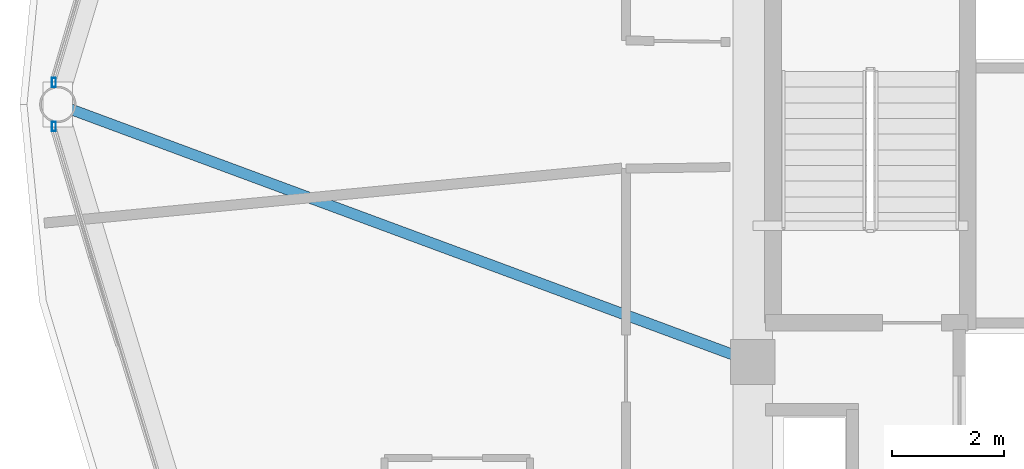
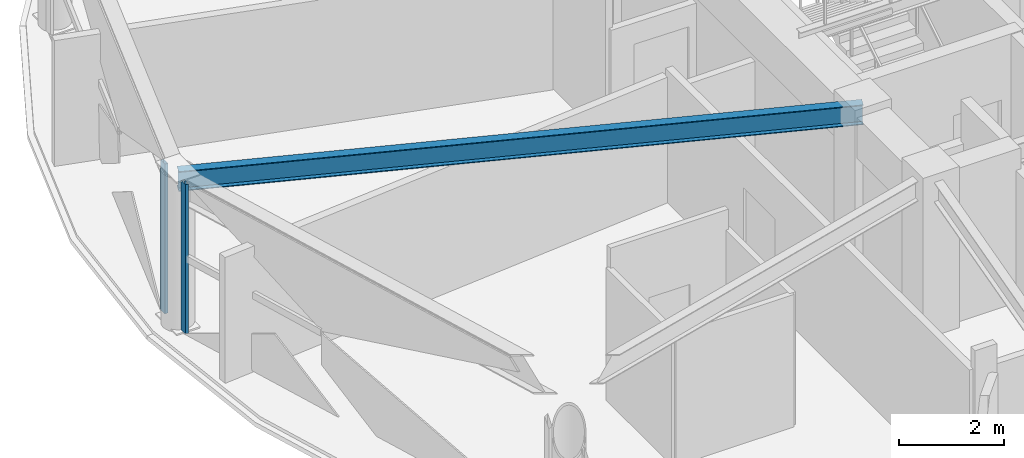
# One storey, part 7 of 28: 2 members, 1 beam, 2 elements without a shape of their own.
"""IFC4 building model written with IfcOpenShell, lengths in metres."""

from ifc_helpers import new_model, si_unit, direction, frame, origin, origin_2d, place, context, subcontext, project, spatial, hollow_rectangle, i_section, extrude, material, layer, layer_set, material_profile, profile_set, type_object, element, aggregate, save


model = new_model("IFC4")

# Units and contexts
model_context = context("Model", 3, precision=1e-05, world=origin(), true_north=direction((0.0, 1.0)))
body_context = subcontext(model_context, "Body", "Model", "MODEL_VIEW")
ifc_project = project(units=[si_unit("LENGTHUNIT", "METRE"), si_unit("AREAUNIT", "SQUARE_METRE"), si_unit("VOLUMEUNIT", "CUBIC_METRE"), si_unit("PLANEANGLEUNIT", "RADIAN"), si_unit("MASSUNIT", "GRAM", prefix="KILO")], contexts=[model_context])

# Site, building, storey
site_placement = place(None, origin())
site = spatial("IfcSite", under=ifc_project, at=site_placement, CompositionType="ELEMENT")
building_placement = place(site_placement, origin())
building = spatial("IfcBuilding", under=site, at=building_placement, Name="Vantalir Tower", CompositionType="ELEMENT")
storey_placement = place(building_placement, frame((0.0, 0.0, 223.64990234375)))
storey = spatial("IfcBuildingStorey", under=building, at=storey_placement, Name="L56", CompositionType="ELEMENT", Elevation=223.64990234375)

# Beam
ifc_material_1 = material(Name="Steel S355", Category="steel")
ifc_material_profile_1 = material_profile(ifc_material_1, i_section(OverallWidth=0.19189453125, OverallDepth=0.462890625, WebThickness=0.010498046875, FlangeThickness=0.017578125, at=origin_2d()), Name="Steel S355")
ifc_profile_set_1 = profile_set([ifc_material_profile_1], Name="Steel S355")
beam_type = type_object("IfcBeamType", Name="BM-RB-457x191", PredefinedType="BEAM", material=ifc_profile_set_1)
beam_placement = place(storey_placement, frame((9.487060546875, 25.0, 3.338134765625), z_axis=(0.937681112374, -0.34749695178, 0.0), x_axis=(0.34749695178, 0.937681112374, 0.0)))
element("IfcBeam", 1, at=beam_placement, inside=storey, type_object=beam_type, Name="L56 Radial Floor Beam 07", PredefinedType="BEAM", context=body_context, shape_type="SweptSolid", body=[
    extrude(i_section(OverallWidth=0.19189453125, OverallDepth=0.462890625, WebThickness=0.010498046875, FlangeThickness=0.017578125, at=origin_2d()), origin(), (0.0, 0.0, 1.0), 13.23779296875),
])

# Curtain wall, member
ifc_material_2 = material(Name="Champagne-silver PVDF aluminium and double-silver Low-E glass", Category="aluminium")
ifc_layer = layer(ifc_material_2, 0.2099609375)
ifc_layer_set = layer_set([ifc_layer], Name="Champagne-silver PVDF aluminium and double-silver Low-E glass")
curtain_wall_type = type_object("IfcCurtainWallType", Name="CW-DIAMOND-Z3", PredefinedType="USERDEFINED", material=ifc_layer_set)
curtain_wall_1_placement = place(storey_placement, origin())
curtain_wall_1 = element("IfcCurtainWall", 2, at=curtain_wall_1_placement, inside=storey, type_object=curtain_wall_type, Name="L56 Quilted Pyramid-Diamond Curtain Wall S06", ObjectType="UNITISED CURTAIN WALL", PredefinedType="USERDEFINED")
ifc_material_3 = material(Name="Champagne-silver PVDF aluminium 6063-T6", Category="aluminium")
ifc_material_profile_2 = material_profile(ifc_material_3, hollow_rectangle(XDim=0.070068359375, YDim=0.1650390625, WallThickness=0.00390625, at=origin_2d()), Name="Champagne-silver PVDF aluminium 6063-T6")
ifc_profile_set_2 = profile_set([ifc_material_profile_2], Name="Champagne-silver PVDF aluminium 6063-T6")
member_type = type_object("IfcMemberType", Name="CWM-165x70", PredefinedType="MULLION", material=ifc_profile_set_2)
member_1_placement = place(storey_placement, frame((9.4150390625, 25.39306640625, 0.045166015625), z_axis=(0.0, 0.0, 1.0), x_axis=(1.0, 0.0, 0.0)))
member_1 = element("IfcMember", 3, at=member_1_placement, type_object=member_type, Name="CW-L56-S06 Mullion 2", PredefinedType="MULLION", context=body_context, shape_type="SweptSolid", body=[
    extrude(hollow_rectangle(XDim=0.070068359375, YDim=0.1650390625, WallThickness=0.00390625, at=origin_2d()), origin(), (0.0, 0.0, 1.0), 3.47998046875),
])
aggregate(curtain_wall_1, [member_1])

curtain_wall_2_placement = place(storey_placement, origin())
curtain_wall_2 = element("IfcCurtainWall", 4, at=curtain_wall_2_placement, inside=storey, type_object=curtain_wall_type, Name="L56 Quilted Pyramid-Diamond Curtain Wall S07", ObjectType="UNITISED CURTAIN WALL", PredefinedType="USERDEFINED")
member_2_placement = place(storey_placement, frame((9.4150390625, 24.60693359375, 0.045166015625), z_axis=(0.0, 0.0, 1.0), x_axis=(1.0, 0.0, 0.0)))
member_2 = element("IfcMember", 5, at=member_2_placement, type_object=member_type, Name="CW-L56-S07 Mullion 1", PredefinedType="MULLION", context=body_context, shape_type="SweptSolid", body=[
    extrude(hollow_rectangle(XDim=0.070068359375, YDim=0.1650390625, WallThickness=0.00390625, at=origin_2d()), origin(), (0.0, 0.0, 1.0), 3.47998046875),
])
aggregate(curtain_wall_2, [member_2])

save(model, "model.ifc")
